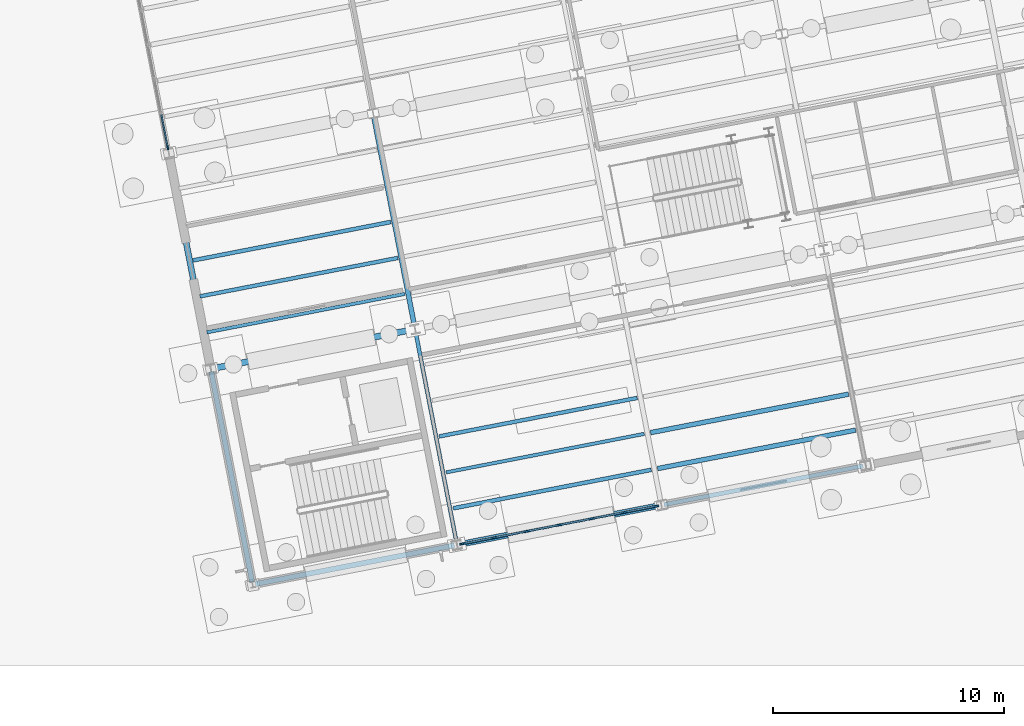
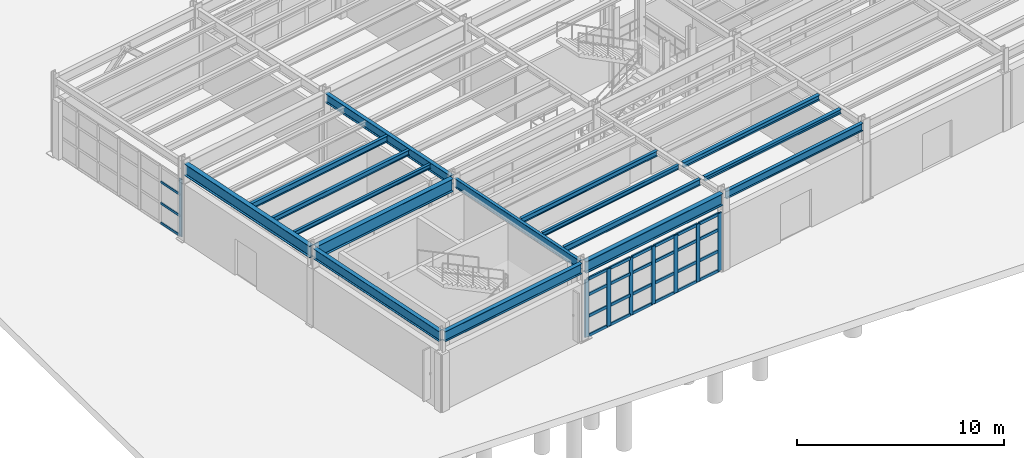
# One storey, part 32 of 108: 35 members, 16 beams, 2 elements without a shape of their own.
"""IFC4 building model written with IfcOpenShell, lengths in metres."""

from ifc_helpers import new_model, si_unit, direction, frame, origin, origin_2d, place, context, subcontext, project, spatial, rectangle, i_section, extrude, material, layer, layer_set, material_profile, profile_set, type_object, element, aggregate, save


model = new_model("IFC4")

# Units and contexts
model_context = context("Model", 3, precision=1e-05, world=origin(), true_north=direction((0.0, 1.0)))
body_context = subcontext(model_context, "Body", "Model", "MODEL_VIEW")
ifc_project = project(units=[si_unit("LENGTHUNIT", "METRE"), si_unit("AREAUNIT", "SQUARE_METRE"), si_unit("VOLUMEUNIT", "CUBIC_METRE"), si_unit("PLANEANGLEUNIT", "RADIAN"), si_unit("MASSUNIT", "GRAM", prefix="KILO")], contexts=[model_context])

# Site, building, storey
site_placement = place(None, origin())
site = spatial("IfcSite", under=ifc_project, at=site_placement, CompositionType="ELEMENT")
building_placement = place(site_placement, origin())
building = spatial("IfcBuilding", under=site, at=building_placement, Name="Vireo Bluff Cable Station", CompositionType="ELEMENT")
storey_placement = place(building_placement, origin())
storey = spatial("IfcBuildingStorey", under=building, at=storey_placement, Name="L00", CompositionType="ELEMENT", Elevation=0.0)

# Beams
ifc_material_1 = material(Name="Steel ASTM A992 Gr. 50", Category="steel")
ifc_material_profile_1 = material_profile(ifc_material_1, i_section(OverallWidth=0.166015625, OverallDepth=0.528076171875, WebThickness=0.009765625, FlangeThickness=0.013671875, FilletRadius=0.012939453125, at=origin_2d()), Name="W21X50")
ifc_profile_set_1 = profile_set([ifc_material_profile_1], Name="Steel ASTM A992 Gr. 50")
beam_type_1 = type_object("IfcBeamType", Name="BM-W21X50", PredefinedType="BEAM", material=ifc_profile_set_1)
beam_1_placement = place(storey_placement, frame((18.311767578125, 7.3349609375, 4.27587890625), z_axis=(-0.190799797627, 0.981628971264, 0.0), x_axis=(-0.981628971264, -0.190799797627, 0.0)))
element("IfcBeam", 1, at=beam_1_placement, inside=storey, type_object=beam_type_1, Name="V5 L00 beam 1109", PredefinedType="BEAM", context=body_context, shape_type="SweptSolid", body=[
    extrude(i_section(OverallWidth=0.166015625, OverallDepth=0.528076171875, WebThickness=0.009765625, FlangeThickness=0.013671875, FilletRadius=0.012939453125, at=origin_2d()), origin(), (0.0, 0.0, 1.0), 9.26025390625),
])
ifc_material_profile_2 = material_profile(ifc_material_1, i_section(OverallWidth=0.2099609375, OverallDepth=0.535888671875, WebThickness=0.010986328125, FlangeThickness=0.017333984375, FilletRadius=0.012939453125, at=origin_2d()), Name="W21X68")
ifc_profile_set_2 = profile_set([ifc_material_profile_2], Name="Steel ASTM A992 Gr. 50")
beam_type_2 = type_object("IfcBeamType", Name="BM-W21X68", PredefinedType="BEAM", material=ifc_profile_set_2)
beam_2_placement = place(storey_placement, frame((16.4990234375, 16.66064453125, 4.27197265625), z_axis=(-0.190804735679, 0.981628011439, 0.0), x_axis=(-0.981628011439, -0.190804735679, 0.0)))
element("IfcBeam", 2, at=beam_2_placement, inside=storey, type_object=beam_type_2, Name="V5 L00 beam 1110", PredefinedType="BEAM", context=body_context, shape_type="SweptSolid", body=[
    extrude(i_section(OverallWidth=0.2099609375, OverallDepth=0.535888671875, WebThickness=0.010986328125, FlangeThickness=0.017333984375, FilletRadius=0.012939453125, at=origin_2d()), origin(), (0.0, 0.0, 1.0), 9.260009765625),
])

# Curtain wall, member
ifc_material_2 = material(Name="Anodized Aluminium 6063-T6", Category="aluminium")
ifc_layer_1 = layer(ifc_material_2, 0.179931640625, Name="Anodized Aluminium 6063-T6")
ifc_layer_set_1 = layer_set([ifc_layer_1], Name="Anodized Aluminium 6063-T6")
curtain_wall_type_1 = type_object("IfcCurtainWallType", Name="CW-UNIT-1500", PredefinedType="USERDEFINED", material=ifc_layer_set_1)
curtain_wall_1_placement = place(storey_placement, origin())
curtain_wall_1 = element("IfcCurtainWall", 3, at=curtain_wall_1_placement, inside=storey, type_object=curtain_wall_type_1, Name="V5 L00 west curtain wall CW-112", ObjectType="UNITISED CURTAIN WALL", PredefinedType="USERDEFINED")
ifc_material_profile_3 = material_profile(ifc_material_2, rectangle(XDim=0.06494140625, YDim=0.179931640625, at=origin_2d()), Name="ALU-M-65X180")
ifc_profile_set_3 = profile_set([ifc_material_profile_3], Name="Anodized Aluminium 6063-T6")
member_type_1 = type_object("IfcMemberType", Name="CWM-01", PredefinedType="MULLION", material=ifc_profile_set_3)
member_1_placement = place(storey_placement, frame((5.828369140625, 24.389404296875, 0.0), z_axis=(0.0, 0.0, 1.0), x_axis=(-0.98162718066, -0.190809009717, 0.0)))
member_1 = element("IfcMember", 4, at=member_1_placement, type_object=member_type_1, Name="CW-112 mullion 1", PredefinedType="MULLION", context=body_context, shape_type="SweptSolid", body=[
    extrude(rectangle(XDim=0.06494140625, YDim=0.179931640625, at=origin_2d()), origin(), (0.0, 0.0, 1.0), 3.39990234375),
])

# Curtain wall, members
ifc_layer_2 = layer(ifc_material_2, 0.179931640625, Name="Anodized Aluminium 6063-T6")
ifc_layer_set_2 = layer_set([ifc_layer_2], Name="Anodized Aluminium 6063-T6")
curtain_wall_type_2 = type_object("IfcCurtainWallType", Name="CW-UNIT-1400", PredefinedType="USERDEFINED", material=ifc_layer_set_2)
curtain_wall_2_placement = place(storey_placement, origin())
curtain_wall_2 = element("IfcCurtainWall", 5, at=curtain_wall_2_placement, inside=storey, type_object=curtain_wall_type_2, Name="V5 L00 south curtain wall CW-111", ObjectType="UNITISED CURTAIN WALL", PredefinedType="USERDEFINED")
ifc_material_profile_4 = material_profile(ifc_material_2, rectangle(XDim=0.080078125, YDim=0.239990234375, at=origin_2d()), Name="ALU-M-80X240")
ifc_profile_set_4 = profile_set([ifc_material_profile_4], Name="Anodized Aluminium 6063-T6")
member_type_2 = type_object("IfcMemberType", Name="CWM-04", PredefinedType="MULLION", material=ifc_profile_set_4)
member_2_placement = place(storey_placement, frame((26.9287109375, 8.8876953125, 0.0), z_axis=(0.0, 0.0, 1.0), x_axis=(0.190808953247, -0.981627191637, 0.0)))
member_2 = element("IfcMember", 6, at=member_2_placement, type_object=member_type_2, Name="CW-111 mullion 1", PredefinedType="MULLION", context=body_context, shape_type="SweptSolid", body=[
    extrude(rectangle(XDim=0.080078125, YDim=0.239990234375, at=origin_2d()), origin(), (0.0, 0.0, 1.0), 3.39990234375),
])
member_3_placement = place(storey_placement, frame((25.562255859375, 8.6220703125, 0.0), z_axis=(0.0, 0.0, 1.0), x_axis=(0.190808953247, -0.981627191637, 0.0)))
member_3 = element("IfcMember", 7, at=member_3_placement, type_object=member_type_2, Name="CW-111 mullion 2", PredefinedType="MULLION", context=body_context, shape_type="SweptSolid", body=[
    extrude(rectangle(XDim=0.080078125, YDim=0.239990234375, at=origin_2d()), origin(), (0.0, 0.0, 1.0), 3.39990234375),
])
member_4_placement = place(storey_placement, frame((24.156494140625, 8.348876953125, 0.0), z_axis=(0.0, 0.0, 1.0), x_axis=(0.190808953247, -0.981627191637, 0.0)))
member_4 = element("IfcMember", 8, at=member_4_placement, type_object=member_type_2, Name="CW-111 mullion 3", PredefinedType="MULLION", context=body_context, shape_type="SweptSolid", body=[
    extrude(rectangle(XDim=0.080078125, YDim=0.239990234375, at=origin_2d()), origin(), (0.0, 0.0, 1.0), 3.39990234375),
])
member_5_placement = place(storey_placement, frame((22.750732421875, 8.07568359375, 0.0), z_axis=(0.0, 0.0, 1.0), x_axis=(0.190808953247, -0.981627191637, 0.0)))
member_5 = element("IfcMember", 9, at=member_5_placement, type_object=member_type_2, Name="CW-111 mullion 4", PredefinedType="MULLION", context=body_context, shape_type="SweptSolid", body=[
    extrude(rectangle(XDim=0.080078125, YDim=0.239990234375, at=origin_2d()), origin(), (0.0, 0.0, 1.0), 3.39990234375),
])
member_6_placement = place(storey_placement, frame((21.344970703125, 7.802490234375, 0.0), z_axis=(0.0, 0.0, 1.0), x_axis=(0.190808953247, -0.981627191637, 0.0)))
member_6 = element("IfcMember", 10, at=member_6_placement, type_object=member_type_2, Name="CW-111 mullion 5", PredefinedType="MULLION", context=body_context, shape_type="SweptSolid", body=[
    extrude(rectangle(XDim=0.080078125, YDim=0.239990234375, at=origin_2d()), origin(), (0.0, 0.0, 1.0), 3.39990234375),
])
member_7_placement = place(storey_placement, frame((19.939208984375, 7.529052734375, 0.0), z_axis=(0.0, 0.0, 1.0), x_axis=(0.190808953247, -0.981627191637, 0.0)))
member_7 = element("IfcMember", 11, at=member_7_placement, type_object=member_type_2, Name="CW-111 mullion 6", PredefinedType="MULLION", context=body_context, shape_type="SweptSolid", body=[
    extrude(rectangle(XDim=0.080078125, YDim=0.239990234375, at=origin_2d()), origin(), (0.0, 0.0, 1.0), 3.39990234375),
])
member_8_placement = place(storey_placement, frame((18.57275390625, 7.263671875, 0.0), z_axis=(0.0, 0.0, 1.0), x_axis=(0.190808953247, -0.981627191637, 0.0)))
member_8 = element("IfcMember", 12, at=member_8_placement, type_object=member_type_2, Name="CW-111 mullion 7", PredefinedType="MULLION", context=body_context, shape_type="SweptSolid", body=[
    extrude(rectangle(XDim=0.080078125, YDim=0.239990234375, at=origin_2d()), origin(), (0.0, 0.0, 1.0), 3.39990234375),
])

# Member
ifc_material_profile_5 = material_profile(ifc_material_2, rectangle(XDim=0.06494140625, YDim=0.139892578125, at=origin_2d()), Name="ALU-T-65X140")
ifc_profile_set_5 = profile_set([ifc_material_profile_5], Name="Anodized Aluminium 6063-T6")
member_type_3 = type_object("IfcMemberType", Name="CWT-01", PredefinedType="USERDEFINED", material=ifc_profile_set_5)
member_9_placement = place(storey_placement, frame((5.822021484375, 24.42138671875, 0.032470703125), z_axis=(-0.190709138232, 0.981646588439, 0.0), x_axis=(-0.981646588439, -0.190709138232, 0.0)))
member_9 = element("IfcMember", 13, at=member_9_placement, type_object=member_type_3, Name="CW-112 transom 1.1", ObjectType="TRANSOM", PredefinedType="USERDEFINED", context=body_context, shape_type="SweptSolid", body=[
    extrude(rectangle(XDim=0.06494140625, YDim=0.139892578125, at=origin_2d()), origin(), (0.0, 0.0, 1.0), 1.4248046875),
])

member_10_placement = place(storey_placement, frame((5.822021484375, 24.42138671875, 1.18994140625), z_axis=(-0.190709138232, 0.981646588439, 0.0), x_axis=(-0.981646588439, -0.190709138232, 0.0)))
member_10 = element("IfcMember", 14, at=member_10_placement, type_object=member_type_3, Name="CW-112 transom 1.2", ObjectType="TRANSOM", PredefinedType="USERDEFINED", context=body_context, shape_type="SweptSolid", body=[
    extrude(rectangle(XDim=0.06494140625, YDim=0.139892578125, at=origin_2d()), origin(), (0.0, 0.0, 1.0), 1.4248046875),
])

member_11_placement = place(storey_placement, frame((5.822021484375, 24.42138671875, 2.447998046875), z_axis=(-0.190709138232, 0.981646588439, 0.0), x_axis=(-0.981646588439, -0.190709138232, 0.0)))
member_11 = element("IfcMember", 15, at=member_11_placement, type_object=member_type_3, Name="CW-112 transom 1.3", ObjectType="TRANSOM", PredefinedType="USERDEFINED", context=body_context, shape_type="SweptSolid", body=[
    extrude(rectangle(XDim=0.06494140625, YDim=0.139892578125, at=origin_2d()), origin(), (0.0, 0.0, 1.0), 1.4248046875),
])

aggregate(curtain_wall_1, [member_1, member_9, member_10, member_11])

ifc_material_profile_6 = material_profile(ifc_material_2, rectangle(XDim=0.080078125, YDim=0.175048828125, at=origin_2d()), Name="ALU-T-80X175")
ifc_profile_set_6 = profile_set([ifc_material_profile_6], Name="Anodized Aluminium 6063-T6")
member_type_4 = type_object("IfcMemberType", Name="CWT-04", PredefinedType="USERDEFINED", material=ifc_profile_set_6)
member_12_placement = place(storey_placement, frame((26.889404296875, 8.880126953125, 0.0400390625), z_axis=(-0.98163959459, -0.190745134494, 0.0), x_axis=(0.190745134494, -0.98163959459, 0.0)))
member_12 = element("IfcMember", 16, at=member_12_placement, type_object=member_type_4, Name="CW-111 transom 1.1", ObjectType="TRANSOM", PredefinedType="USERDEFINED", context=body_context, shape_type="SweptSolid", body=[
    extrude(rectangle(XDim=0.080078125, YDim=0.175048828125, at=origin_2d()), origin(), (0.0, 0.0, 1.0), 1.31201171875),
])

member_13_placement = place(storey_placement, frame((26.889404296875, 8.880126953125, 1.18994140625), z_axis=(-0.98163959459, -0.190745134494, 0.0), x_axis=(0.190745134494, -0.98163959459, 0.0)))
member_13 = element("IfcMember", 17, at=member_13_placement, type_object=member_type_4, Name="CW-111 transom 1.2", ObjectType="TRANSOM", PredefinedType="USERDEFINED", context=body_context, shape_type="SweptSolid", body=[
    extrude(rectangle(XDim=0.080078125, YDim=0.175048828125, at=origin_2d()), origin(), (0.0, 0.0, 1.0), 1.31201171875),
])

member_14_placement = place(storey_placement, frame((26.889404296875, 8.880126953125, 2.447998046875), z_axis=(-0.98163959459, -0.190745134494, 0.0), x_axis=(0.190745134494, -0.98163959459, 0.0)))
member_14 = element("IfcMember", 18, at=member_14_placement, type_object=member_type_4, Name="CW-111 transom 1.3", ObjectType="TRANSOM", PredefinedType="USERDEFINED", context=body_context, shape_type="SweptSolid", body=[
    extrude(rectangle(XDim=0.080078125, YDim=0.175048828125, at=origin_2d()), origin(), (0.0, 0.0, 1.0), 1.31201171875),
])

member_15_placement = place(storey_placement, frame((26.889404296875, 8.880126953125, 3.360107421875), z_axis=(-0.98163959459, -0.190745134494, 0.0), x_axis=(0.190745134494, -0.98163959459, 0.0)))
member_15 = element("IfcMember", 19, at=member_15_placement, type_object=member_type_4, Name="CW-111 transom 1.4", ObjectType="TRANSOM", PredefinedType="USERDEFINED", context=body_context, shape_type="SweptSolid", body=[
    extrude(rectangle(XDim=0.080078125, YDim=0.175048828125, at=origin_2d()), origin(), (0.0, 0.0, 1.0), 1.31201171875),
])

member_16_placement = place(storey_placement, frame((25.52294921875, 8.614501953125, 0.0400390625), z_axis=(-0.981649208385, -0.19069565196, 0.0), x_axis=(0.19069565196, -0.981649208385, 0.0)))
member_16 = element("IfcMember", 20, at=member_16_placement, type_object=member_type_4, Name="CW-111 transom 2.1", ObjectType="TRANSOM", PredefinedType="USERDEFINED", context=body_context, shape_type="SweptSolid", body=[
    extrude(rectangle(XDim=0.080078125, YDim=0.175048828125, at=origin_2d()), origin(), (0.0, 0.0, 1.0), 1.35205078125),
])

member_17_placement = place(storey_placement, frame((25.52294921875, 8.614501953125, 1.18994140625), z_axis=(-0.981649208385, -0.19069565196, 0.0), x_axis=(0.19069565196, -0.981649208385, 0.0)))
member_17 = element("IfcMember", 21, at=member_17_placement, type_object=member_type_4, Name="CW-111 transom 2.2", ObjectType="TRANSOM", PredefinedType="USERDEFINED", context=body_context, shape_type="SweptSolid", body=[
    extrude(rectangle(XDim=0.080078125, YDim=0.175048828125, at=origin_2d()), origin(), (0.0, 0.0, 1.0), 1.35205078125),
])

member_18_placement = place(storey_placement, frame((25.52294921875, 8.614501953125, 2.447998046875), z_axis=(-0.981649208385, -0.19069565196, 0.0), x_axis=(0.19069565196, -0.981649208385, 0.0)))
member_18 = element("IfcMember", 22, at=member_18_placement, type_object=member_type_4, Name="CW-111 transom 2.3", ObjectType="TRANSOM", PredefinedType="USERDEFINED", context=body_context, shape_type="SweptSolid", body=[
    extrude(rectangle(XDim=0.080078125, YDim=0.175048828125, at=origin_2d()), origin(), (0.0, 0.0, 1.0), 1.35205078125),
])

member_19_placement = place(storey_placement, frame((25.52294921875, 8.614501953125, 3.360107421875), z_axis=(-0.981649208385, -0.19069565196, 0.0), x_axis=(0.19069565196, -0.981649208385, 0.0)))
member_19 = element("IfcMember", 23, at=member_19_placement, type_object=member_type_4, Name="CW-111 transom 2.4", ObjectType="TRANSOM", PredefinedType="USERDEFINED", context=body_context, shape_type="SweptSolid", body=[
    extrude(rectangle(XDim=0.080078125, YDim=0.175048828125, at=origin_2d()), origin(), (0.0, 0.0, 1.0), 1.35205078125),
])

member_20_placement = place(storey_placement, frame((24.1171875, 8.34130859375, 0.0400390625), z_axis=(-0.981615389669, -0.190869659102, 0.0), x_axis=(0.190869659102, -0.981615389669, 0.0)))
member_20 = element("IfcMember", 24, at=member_20_placement, type_object=member_type_4, Name="CW-111 transom 3.1", ObjectType="TRANSOM", PredefinedType="USERDEFINED", context=body_context, shape_type="SweptSolid", body=[
    extrude(rectangle(XDim=0.080078125, YDim=0.175048828125, at=origin_2d()), origin(), (0.0, 0.0, 1.0), 1.35205078125),
])

member_21_placement = place(storey_placement, frame((24.1171875, 8.34130859375, 1.18994140625), z_axis=(-0.981615389669, -0.190869659102, 0.0), x_axis=(0.190869659102, -0.981615389669, 0.0)))
member_21 = element("IfcMember", 25, at=member_21_placement, type_object=member_type_4, Name="CW-111 transom 3.2", ObjectType="TRANSOM", PredefinedType="USERDEFINED", context=body_context, shape_type="SweptSolid", body=[
    extrude(rectangle(XDim=0.080078125, YDim=0.175048828125, at=origin_2d()), origin(), (0.0, 0.0, 1.0), 1.35205078125),
])

member_22_placement = place(storey_placement, frame((24.1171875, 8.34130859375, 2.447998046875), z_axis=(-0.981615389669, -0.190869659102, 0.0), x_axis=(0.190869659102, -0.981615389669, 0.0)))
member_22 = element("IfcMember", 26, at=member_22_placement, type_object=member_type_4, Name="CW-111 transom 3.3", ObjectType="TRANSOM", PredefinedType="USERDEFINED", context=body_context, shape_type="SweptSolid", body=[
    extrude(rectangle(XDim=0.080078125, YDim=0.175048828125, at=origin_2d()), origin(), (0.0, 0.0, 1.0), 1.35205078125),
])

member_23_placement = place(storey_placement, frame((24.1171875, 8.34130859375, 3.360107421875), z_axis=(-0.981615389669, -0.190869659102, 0.0), x_axis=(0.190869659102, -0.981615389669, 0.0)))
member_23 = element("IfcMember", 27, at=member_23_placement, type_object=member_type_4, Name="CW-111 transom 3.4", ObjectType="TRANSOM", PredefinedType="USERDEFINED", context=body_context, shape_type="SweptSolid", body=[
    extrude(rectangle(XDim=0.080078125, YDim=0.175048828125, at=origin_2d()), origin(), (0.0, 0.0, 1.0), 1.35205078125),
])

member_24_placement = place(storey_placement, frame((22.71142578125, 8.068115234375, 0.0400390625), z_axis=(-0.981615389669, -0.190869659102, 0.0), x_axis=(0.190869659102, -0.981615389669, 0.0)))
member_24 = element("IfcMember", 28, at=member_24_placement, type_object=member_type_4, Name="CW-111 transom 4.1", ObjectType="TRANSOM", PredefinedType="USERDEFINED", context=body_context, shape_type="SweptSolid", body=[
    extrude(rectangle(XDim=0.080078125, YDim=0.175048828125, at=origin_2d()), origin(), (0.0, 0.0, 1.0), 1.35205078125),
])

member_25_placement = place(storey_placement, frame((22.71142578125, 8.068115234375, 1.18994140625), z_axis=(-0.981615389669, -0.190869659102, 0.0), x_axis=(0.190869659102, -0.981615389669, 0.0)))
member_25 = element("IfcMember", 29, at=member_25_placement, type_object=member_type_4, Name="CW-111 transom 4.2", ObjectType="TRANSOM", PredefinedType="USERDEFINED", context=body_context, shape_type="SweptSolid", body=[
    extrude(rectangle(XDim=0.080078125, YDim=0.175048828125, at=origin_2d()), origin(), (0.0, 0.0, 1.0), 1.35205078125),
])

member_26_placement = place(storey_placement, frame((22.71142578125, 8.068115234375, 2.447998046875), z_axis=(-0.981615389669, -0.190869659102, 0.0), x_axis=(0.190869659102, -0.981615389669, 0.0)))
member_26 = element("IfcMember", 30, at=member_26_placement, type_object=member_type_4, Name="CW-111 transom 4.3", ObjectType="TRANSOM", PredefinedType="USERDEFINED", context=body_context, shape_type="SweptSolid", body=[
    extrude(rectangle(XDim=0.080078125, YDim=0.175048828125, at=origin_2d()), origin(), (0.0, 0.0, 1.0), 1.35205078125),
])

member_27_placement = place(storey_placement, frame((22.71142578125, 8.068115234375, 3.360107421875), z_axis=(-0.981615389669, -0.190869659102, 0.0), x_axis=(0.190869659102, -0.981615389669, 0.0)))
member_27 = element("IfcMember", 31, at=member_27_placement, type_object=member_type_4, Name="CW-111 transom 4.4", ObjectType="TRANSOM", PredefinedType="USERDEFINED", context=body_context, shape_type="SweptSolid", body=[
    extrude(rectangle(XDim=0.080078125, YDim=0.175048828125, at=origin_2d()), origin(), (0.0, 0.0, 1.0), 1.35205078125),
])

member_28_placement = place(storey_placement, frame((21.3056640625, 7.794677734375, 0.0400390625), z_axis=(-0.981649208385, -0.19069565196, 0.0), x_axis=(0.19069565196, -0.981649208385, 0.0)))
member_28 = element("IfcMember", 32, at=member_28_placement, type_object=member_type_4, Name="CW-111 transom 5.1", ObjectType="TRANSOM", PredefinedType="USERDEFINED", context=body_context, shape_type="SweptSolid", body=[
    extrude(rectangle(XDim=0.080078125, YDim=0.175048828125, at=origin_2d()), origin(), (0.0, 0.0, 1.0), 1.35205078125),
])

member_29_placement = place(storey_placement, frame((21.3056640625, 7.794677734375, 1.18994140625), z_axis=(-0.981649208385, -0.19069565196, 0.0), x_axis=(0.19069565196, -0.981649208385, 0.0)))
member_29 = element("IfcMember", 33, at=member_29_placement, type_object=member_type_4, Name="CW-111 transom 5.2", ObjectType="TRANSOM", PredefinedType="USERDEFINED", context=body_context, shape_type="SweptSolid", body=[
    extrude(rectangle(XDim=0.080078125, YDim=0.175048828125, at=origin_2d()), origin(), (0.0, 0.0, 1.0), 1.35205078125),
])

member_30_placement = place(storey_placement, frame((21.3056640625, 7.794677734375, 2.447998046875), z_axis=(-0.981649208385, -0.19069565196, 0.0), x_axis=(0.19069565196, -0.981649208385, 0.0)))
member_30 = element("IfcMember", 34, at=member_30_placement, type_object=member_type_4, Name="CW-111 transom 5.3", ObjectType="TRANSOM", PredefinedType="USERDEFINED", context=body_context, shape_type="SweptSolid", body=[
    extrude(rectangle(XDim=0.080078125, YDim=0.175048828125, at=origin_2d()), origin(), (0.0, 0.0, 1.0), 1.35205078125),
])

member_31_placement = place(storey_placement, frame((21.3056640625, 7.794677734375, 3.360107421875), z_axis=(-0.981649208385, -0.19069565196, 0.0), x_axis=(0.19069565196, -0.981649208385, 0.0)))
member_31 = element("IfcMember", 35, at=member_31_placement, type_object=member_type_4, Name="CW-111 transom 5.4", ObjectType="TRANSOM", PredefinedType="USERDEFINED", context=body_context, shape_type="SweptSolid", body=[
    extrude(rectangle(XDim=0.080078125, YDim=0.175048828125, at=origin_2d()), origin(), (0.0, 0.0, 1.0), 1.35205078125),
])

member_32_placement = place(storey_placement, frame((19.89990234375, 7.521484375, 0.0400390625), z_axis=(-0.98163959459, -0.190745134494, 0.0), x_axis=(0.190745134494, -0.98163959459, 0.0)))
member_32 = element("IfcMember", 36, at=member_32_placement, type_object=member_type_4, Name="CW-111 transom 6.1", ObjectType="TRANSOM", PredefinedType="USERDEFINED", context=body_context, shape_type="SweptSolid", body=[
    extrude(rectangle(XDim=0.080078125, YDim=0.175048828125, at=origin_2d()), origin(), (0.0, 0.0, 1.0), 1.31201171875),
])

member_33_placement = place(storey_placement, frame((19.89990234375, 7.521484375, 1.18994140625), z_axis=(-0.98163959459, -0.190745134494, 0.0), x_axis=(0.190745134494, -0.98163959459, 0.0)))
member_33 = element("IfcMember", 37, at=member_33_placement, type_object=member_type_4, Name="CW-111 transom 6.2", ObjectType="TRANSOM", PredefinedType="USERDEFINED", context=body_context, shape_type="SweptSolid", body=[
    extrude(rectangle(XDim=0.080078125, YDim=0.175048828125, at=origin_2d()), origin(), (0.0, 0.0, 1.0), 1.31201171875),
])

member_34_placement = place(storey_placement, frame((19.89990234375, 7.521484375, 2.447998046875), z_axis=(-0.98163959459, -0.190745134494, 0.0), x_axis=(0.190745134494, -0.98163959459, 0.0)))
member_34 = element("IfcMember", 38, at=member_34_placement, type_object=member_type_4, Name="CW-111 transom 6.3", ObjectType="TRANSOM", PredefinedType="USERDEFINED", context=body_context, shape_type="SweptSolid", body=[
    extrude(rectangle(XDim=0.080078125, YDim=0.175048828125, at=origin_2d()), origin(), (0.0, 0.0, 1.0), 1.31201171875),
])

member_35_placement = place(storey_placement, frame((19.89990234375, 7.521484375, 3.360107421875), z_axis=(-0.98163959459, -0.190745134494, 0.0), x_axis=(0.190745134494, -0.98163959459, 0.0)))
member_35 = element("IfcMember", 39, at=member_35_placement, type_object=member_type_4, Name="CW-111 transom 6.4", ObjectType="TRANSOM", PredefinedType="USERDEFINED", context=body_context, shape_type="SweptSolid", body=[
    extrude(rectangle(XDim=0.080078125, YDim=0.175048828125, at=origin_2d()), origin(), (0.0, 0.0, 1.0), 1.31201171875),
])

aggregate(curtain_wall_2, [member_2, member_3, member_4, member_5, member_6, member_7, member_8, member_12, member_13, member_14, member_15, member_16, member_17, member_18, member_19, member_20, member_21, member_22, member_23, member_24, member_25, member_26, member_27, member_28, member_29, member_30, member_31, member_32, member_33, member_34, member_35])

# Beams
ifc_material_profile_7 = material_profile(ifc_material_1, i_section(OverallWidth=0.264892578125, OverallDepth=0.7529296875, WebThickness=0.01318359375, FlangeThickness=0.01708984375, FilletRadius=0.01611328125, at=origin_2d()), Name="W30X99")
ifc_profile_set_7 = profile_set([ifc_material_profile_7], Name="Steel ASTM A992 Gr. 50")
beam_type_3 = type_object("IfcBeamType", Name="GIR-W30X99", PredefinedType="USERDEFINED", material=ifc_profile_set_7)
beam_3_placement = place(storey_placement, frame((7.80517578125, 14.848388671875, 4.16357421875), z_axis=(0.981628586979, 0.190801774693, 0.0), x_axis=(-0.190801774693, 0.981628586979, 0.0)))
element("IfcBeam", 40, at=beam_3_placement, inside=storey, type_object=beam_type_3, Name="V5 L00 girder 1094", ObjectType="GIRDER", PredefinedType="USERDEFINED", context=body_context, shape_type="SweptSolid", body=[
    extrude(i_section(OverallWidth=0.264892578125, OverallDepth=0.7529296875, WebThickness=0.01318359375, FlangeThickness=0.01708984375, FilletRadius=0.01611328125, at=origin_2d()), origin(), (0.0, 0.0, 1.0), 8.759765625),
])
ifc_material_profile_8 = material_profile(ifc_material_1, i_section(OverallWidth=0.14599609375, OverallDepth=0.259033203125, WebThickness=0.006103515625, FlangeThickness=0.009033203125, FilletRadius=0.009033203125, at=origin_2d()), Name="W10X22")
ifc_profile_set_8 = profile_set([ifc_material_profile_8], Name="Steel ASTM A992 Gr. 50")
beam_type_4 = type_object("IfcBeamType", Name="JST-W10X22", PredefinedType="JOIST", material=ifc_profile_set_8)
for number, where, z_axis, x_axis, name in (
    (41, (7.522705078125, 16.406494140625, 4.410400390625), (0.981628064538, 0.190804462503, 0.0), (-0.190804462503, 0.981628064538, 0.0), "V5 L00 composite joist 1121"),
    (42, (17.867919921875, 10.3525390625, 4.410400390625), (0.981628064538, 0.190804462503, 0.0), (-0.190804462503, 0.981628064538, 0.0), "V5 L00 composite joist 1132"),
):
    element("IfcBeam", number, at=place(storey_placement, frame(where, z_axis=z_axis, x_axis=x_axis)), inside=storey, type_object=beam_type_4, Name=name, PredefinedType="JOIST", context=body_context, shape_type="SweptSolid", body=[
        extrude(i_section(OverallWidth=0.14599609375, OverallDepth=0.259033203125, WebThickness=0.006103515625, FlangeThickness=0.009033203125, FilletRadius=0.009033203125, at=origin_2d()), origin(), (0.0, 0.0, 1.0), 8.719970703125),
    ])
ifc_material_profile_9 = material_profile(ifc_material_1, i_section(OverallWidth=0.201904296875, OverallDepth=0.2470703125, WebThickness=0.00732421875, FlangeThickness=0.010986328125, FilletRadius=0.009033203125, at=origin_2d()), Name="W10X33")
ifc_profile_set_9 = profile_set([ifc_material_profile_9], Name="Steel ASTM A992 Gr. 50")
beam_type_5 = type_object("IfcBeamType", Name="JST-W10X33", PredefinedType="JOIST", material=ifc_profile_set_9)
beam_4_placement = place(storey_placement, frame((27.004638671875, 10.515625, 4.41650390625), z_axis=(0.981628064538, 0.190804462503, 0.0), x_axis=(-0.190804462503, 0.981628064538, 0.0)))
element("IfcBeam", 43, at=beam_4_placement, inside=storey, type_object=beam_type_5, Name="V5 L00 composite joist 1146", PredefinedType="JOIST", context=body_context, shape_type="SweptSolid", body=[
    extrude(i_section(OverallWidth=0.201904296875, OverallDepth=0.2470703125, WebThickness=0.00732421875, FlangeThickness=0.010986328125, FilletRadius=0.009033203125, at=origin_2d()), origin(), (0.0, 0.0, 1.0), 8.719970703125),
])
ifc_material_profile_10 = material_profile(ifc_material_1, i_section(OverallWidth=0.1650390625, OverallDepth=0.31005859375, WebThickness=0.005859375, FlangeThickness=0.009765625, FilletRadius=0.010009765625, at=origin_2d()), Name="W12X26")
ifc_profile_set_10 = profile_set([ifc_material_profile_10], Name="Steel ASTM A992 Gr. 50")
beam_type_6 = type_object("IfcBeamType", Name="JST-W12X26", PredefinedType="JOIST", material=ifc_profile_set_10)
for number, where, z_axis, x_axis, name in (
    (44, (7.220458984375, 17.960693359375, 4.385009765625), (0.981628064538, 0.190804462503, 0.0), (-0.190804462503, 0.981628064538, 0.0), "V5 L00 composite joist 1122"),
    (45, (17.565673828125, 11.90673828125, 4.385009765625), (0.981628064538, 0.190804462503, 0.0), (-0.190804462503, 0.981628064538, 0.0), "V5 L00 composite joist 1133"),
):
    element("IfcBeam", number, at=place(storey_placement, frame(where, z_axis=z_axis, x_axis=x_axis)), inside=storey, type_object=beam_type_6, Name=name, PredefinedType="JOIST", context=body_context, shape_type="SweptSolid", body=[
        extrude(i_section(OverallWidth=0.1650390625, OverallDepth=0.31005859375, WebThickness=0.005859375, FlangeThickness=0.009765625, FilletRadius=0.010009765625, at=origin_2d()), origin(), (0.0, 0.0, 1.0), 8.719970703125),
    ])
ifc_material_profile_11 = material_profile(ifc_material_1, i_section(OverallWidth=0.202880859375, OverallDepth=0.302978515625, WebThickness=0.007568359375, FlangeThickness=0.01318359375, FilletRadius=0.010009765625, at=origin_2d()), Name="W12X40")
ifc_profile_set_11 = profile_set([ifc_material_profile_11], Name="Steel ASTM A992 Gr. 50")
beam_type_7 = type_object("IfcBeamType", Name="JST-W12X40", PredefinedType="JOIST", material=ifc_profile_set_11)
beam_5_placement = place(storey_placement, frame((26.702392578125, 12.06982421875, 4.388427734375), z_axis=(0.981628064538, 0.190804462503, 0.0), x_axis=(-0.190804462503, 0.981628064538, 0.0)))
element("IfcBeam", 46, at=beam_5_placement, inside=storey, type_object=beam_type_7, Name="V5 L00 composite joist 1147", PredefinedType="JOIST", context=body_context, shape_type="SweptSolid", body=[
    extrude(i_section(OverallWidth=0.202880859375, OverallDepth=0.302978515625, WebThickness=0.007568359375, FlangeThickness=0.01318359375, FilletRadius=0.010009765625, at=origin_2d()), origin(), (0.0, 0.0, 1.0), 8.719970703125),
])
ifc_material_profile_12 = material_profile(ifc_material_1, i_section(OverallWidth=0.1708984375, OverallDepth=0.35107421875, WebThickness=0.0068359375, FlangeThickness=0.009765625, FilletRadius=0.010009765625, at=origin_2d()), Name="W14X30")
ifc_profile_set_12 = profile_set([ifc_material_profile_12], Name="Steel ASTM A992 Gr. 50")
beam_type_8 = type_object("IfcBeamType", Name="JST-W14X30", PredefinedType="JOIST", material=ifc_profile_set_12)
for number, where, z_axis, x_axis, name in (
    (47, (6.91845703125, 19.514892578125, 4.364501953125), (0.981628064538, 0.190804462503, 0.0), (-0.190804462503, 0.981628064538, 0.0), "V5 L00 composite joist 1123"),
    (48, (18.169921875, 8.79833984375, 4.364501953125), (0.981628064538, 0.190804462503, 0.0), (-0.190804462503, 0.981628064538, 0.0), "V5 L00 composite joist 1131"),
):
    element("IfcBeam", number, at=place(storey_placement, frame(where, z_axis=z_axis, x_axis=x_axis)), inside=storey, type_object=beam_type_8, Name=name, PredefinedType="JOIST", context=body_context, shape_type="SweptSolid", body=[
        extrude(i_section(OverallWidth=0.1708984375, OverallDepth=0.35107421875, WebThickness=0.0068359375, FlangeThickness=0.009765625, FilletRadius=0.010009765625, at=origin_2d()), origin(), (0.0, 0.0, 1.0), 8.719970703125),
    ])
ifc_material_profile_13 = material_profile(ifc_material_1, i_section(OverallWidth=0.19091796875, OverallDepth=0.45703125, WebThickness=0.009033203125, FlangeThickness=0.014404296875, FilletRadius=0.011962890625, at=origin_2d()), Name="W18X50")
ifc_profile_set_13 = profile_set([ifc_material_profile_13], Name="Steel ASTM A992 Gr. 50")
beam_type_9 = type_object("IfcBeamType", Name="SPN-W18X50", PredefinedType="SPANDREL", material=ifc_profile_set_13)
beam_6_placement = place(storey_placement, frame((27.287109375, 8.95751953125, 4.3115234375), z_axis=(0.981629601573, 0.190796554777, 0.0), x_axis=(-0.190796554777, 0.981629601573, 0.0)))
element("IfcBeam", 49, at=beam_6_placement, inside=storey, type_object=beam_type_9, Name="V5 L00 spandrel 1092", PredefinedType="SPANDREL", context=body_context, shape_type="SweptSolid", body=[
    extrude(i_section(OverallWidth=0.19091796875, OverallDepth=0.45703125, WebThickness=0.009033203125, FlangeThickness=0.014404296875, FilletRadius=0.011962890625, at=origin_2d()), origin(), (0.0, 0.0, 1.0), 8.760009765625),
])
ifc_material_profile_14 = material_profile(ifc_material_1, i_section(OverallWidth=0.22802734375, OverallDepth=0.60693359375, WebThickness=0.01123046875, FlangeThickness=0.017333984375, FilletRadius=0.012939453125, at=origin_2d()), Name="W24X76")
ifc_profile_set_14 = profile_set([ifc_material_profile_14], Name="Steel ASTM A992 Gr. 50")
beam_type_10 = type_object("IfcBeamType", Name="SPN-W24X76", PredefinedType="SPANDREL", material=ifc_profile_set_14)
beam_7_placement = place(storey_placement, frame((9.61767578125, 5.52294921875, 4.236572265625), z_axis=(0.981629601573, 0.190796554777, 0.0), x_axis=(-0.190796554777, 0.981629601573, 0.0)))
element("IfcBeam", 50, at=beam_7_placement, inside=storey, type_object=beam_type_10, Name="V5 L00 spandrel 1090", PredefinedType="SPANDREL", context=body_context, shape_type="SweptSolid", body=[
    extrude(i_section(OverallWidth=0.22802734375, OverallDepth=0.60693359375, WebThickness=0.01123046875, FlangeThickness=0.017333984375, FilletRadius=0.012939453125, at=origin_2d()), origin(), (0.0, 0.0, 1.0), 8.760009765625),
])
beam_8_placement = place(storey_placement, frame((9.47705078125, 5.61767578125, 4.236572265625), z_axis=(-0.190799797627, 0.981628971264, 0.0), x_axis=(-0.981628971264, -0.190799797627, 0.0)))
element("IfcBeam", 51, at=beam_8_placement, inside=storey, type_object=beam_type_10, Name="V5 L00 spandrel 1106", PredefinedType="SPANDREL", context=body_context, shape_type="SweptSolid", body=[
    extrude(i_section(OverallWidth=0.22802734375, OverallDepth=0.60693359375, WebThickness=0.01123046875, FlangeThickness=0.017333984375, FilletRadius=0.012939453125, at=origin_2d()), origin(), (0.0, 0.0, 1.0), 9.26025390625),
])
ifc_material_profile_15 = material_profile(ifc_material_1, i_section(OverallWidth=0.257080078125, OverallDepth=0.693115234375, WebThickness=0.014404296875, FlangeThickness=0.023681640625, FilletRadius=0.014892578125, at=origin_2d()), Name="W27X114")
ifc_profile_set_15 = profile_set([ifc_material_profile_15], Name="Steel ASTM A992 Gr. 50")
beam_type_11 = type_object("IfcBeamType", Name="SPN-W27X114", PredefinedType="SPANDREL", material=ifc_profile_set_15)
beam_9_placement = place(storey_placement, frame((18.452392578125, 7.240234375, 4.193603515625), z_axis=(0.981629601573, 0.190796554777, 0.0), x_axis=(-0.190796554777, 0.981629601573, 0.0)))
element("IfcBeam", 52, at=beam_9_placement, inside=storey, type_object=beam_type_11, Name="V5 L00 spandrel 1091", PredefinedType="SPANDREL", context=body_context, shape_type="SweptSolid", body=[
    extrude(i_section(OverallWidth=0.257080078125, OverallDepth=0.693115234375, WebThickness=0.014404296875, FlangeThickness=0.023681640625, FilletRadius=0.014892578125, at=origin_2d()), origin(), (0.0, 0.0, 1.0), 8.760009765625),
])
beam_10_placement = place(storey_placement, frame((7.664306640625, 14.943359375, 4.193603515625), z_axis=(-0.190804735679, 0.981628011439, 0.0), x_axis=(-0.981628011439, -0.190804735679, 0.0)))
element("IfcBeam", 53, at=beam_10_placement, inside=storey, type_object=beam_type_11, Name="V5 L00 spandrel 1107", PredefinedType="SPANDREL", context=body_context, shape_type="SweptSolid", body=[
    extrude(i_section(OverallWidth=0.257080078125, OverallDepth=0.693115234375, WebThickness=0.014404296875, FlangeThickness=0.023681640625, FilletRadius=0.014892578125, at=origin_2d()), origin(), (0.0, 0.0, 1.0), 9.260009765625),
])

save(model, "model.ifc")
